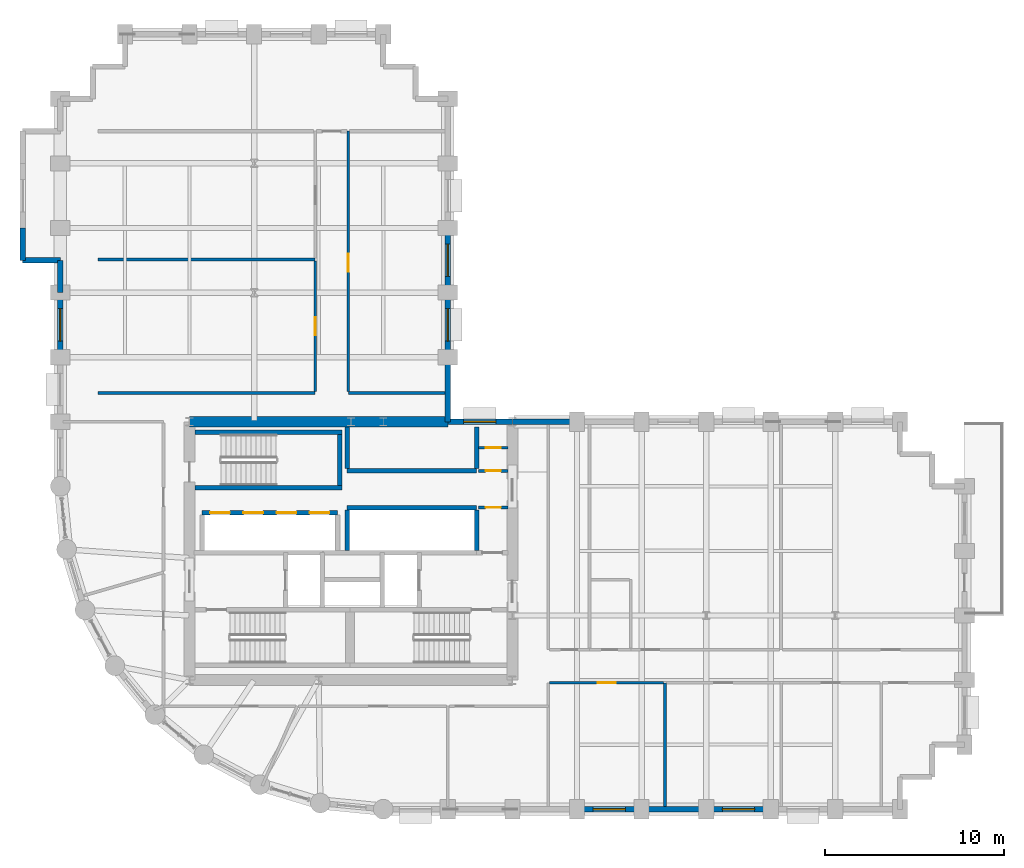
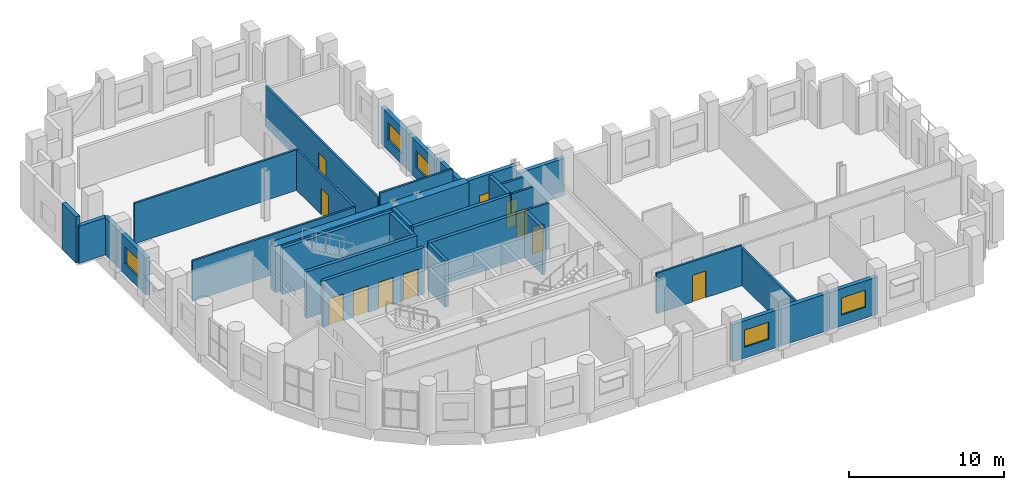
# One storey, part 9 of 13: 33 walls, 10 doors, 6 windows, 16 openings.
"""IFC4 building model written with IfcOpenShell, lengths in metres."""

from ifc_helpers import new_model, si_unit, direction, frame, frame_2d, origin, place, context, subcontext, project, spatial, rectangle, extrude, material, layer, layer_set, type_object, element, fill, save


model = new_model("IFC4")

# Units and contexts
model_context = context("Model", 3, precision=1e-05, world=origin(), true_north=direction((0.0, 1.0)))
body_context = subcontext(model_context, "Body", "Model", "MODEL_VIEW")
ifc_project = project(units=[si_unit("LENGTHUNIT", "METRE"), si_unit("AREAUNIT", "SQUARE_METRE"), si_unit("VOLUMEUNIT", "CUBIC_METRE"), si_unit("PLANEANGLEUNIT", "RADIAN"), si_unit("MASSUNIT", "GRAM", prefix="KILO")], contexts=[model_context])

# Site, building, storey
site_placement = place(None, origin())
site = spatial("IfcSite", under=ifc_project, at=site_placement, CompositionType="ELEMENT")
building_placement = place(site_placement, origin())
building = spatial("IfcBuilding", under=site, at=building_placement, Name="Solnavia Interchange Tower", CompositionType="ELEMENT")
storey_placement = place(building_placement, frame((0.0, 0.0, 87.89990234375)))
storey = spatial("IfcBuildingStorey", under=building, at=storey_placement, Name="L21", CompositionType="ELEMENT", Elevation=87.89990234375)

# Wall, opening, window
ifc_material_1 = material(Name="Concrete C40/50", Category="concrete")
ifc_layer_1 = layer(ifc_material_1, 0.300048828125)
ifc_layer_set_1 = layer_set([ifc_layer_1], Name="Concrete C40/50")
wall_type_1 = type_object("IfcWallType", Name="Wall-ExtSpandrel-300", PredefinedType="STANDARD", material=ifc_layer_set_1)
wall_1_placement = place(storey_placement, frame((39.60009765625, 3.60009765625, 0.0), z_axis=(0.0, 0.0, 1.0), x_axis=(-1.0, 0.0, 0.0)))
wall_1 = element("IfcWall", 1, at=wall_1_placement, inside=storey, type_object=wall_type_1, Name="EXW-L21-04 Exterior precast spandrel wall", PredefinedType="STANDARD", context=body_context, shape_type="SweptSolid", body=[
    extrude(rectangle(XDim=3.60009765625, YDim=0.300048828125, at=frame_2d((1.800048828125, 0.0))), origin(), (0.0, 0.0, 1.0), 2.93017578125),
])
opening_1_placement = place(wall_1_placement, frame((0.89990234375, 0.0, 0.85009765625)))
opening_1 = element("IfcOpeningElement", 2, at=opening_1_placement, cuts=wall_1, Name="Opening WIN-02", PredefinedType="OPENING", context=body_context, shape_type="SweptSolid", body=[
    extrude(rectangle(XDim=1.800048828125, YDim=1.35009765625, at=frame_2d((0.89990234375, 0.675048828125))), frame((0.0, 0.16015625, 0.0), z_axis=(0.0, -1.0, 0.0), x_axis=(1.0, 0.0, 0.0)), (0.0, 0.0, 1.0), 0.320068359375),
])
ifc_material_2 = material(Name="Thermal-Break Aluminium & Low-E Glass", Category="aluminium")
window_type = type_object("IfcWindowType", Name="Window-Ribbon-1800x1350", PartitioningType="SINGLE_PANEL", PredefinedType="WINDOW", material=ifc_material_2)
window_1_placement = place(opening_1_placement, origin())
window_1 = element("IfcWindow", 3, at=window_1_placement, inside=storey, type_object=window_type, Name="WIN-L21-04 Facade ribbon window", OverallHeight=1.35009765625, OverallWidth=1.800048828125, PartitioningType="SINGLE_PANEL", PredefinedType="WINDOW", context=body_context, shape_type="SweptSolid", body=[
    extrude(rectangle(XDim=1.800048828125, YDim=1.35009765625, at=frame_2d((0.89990234375, 0.675048828125))), frame((0.0, 0.030029296875, 0.0), z_axis=(0.0, -1.0, 0.0), x_axis=(1.0, 0.0, 0.0)), (0.0, 0.0, 1.0), 0.06005859375),
])
fill(opening_1, window_1)

# Wall
wall_2_placement = place(storey_placement, frame((43.199951171875, 3.60009765625, 0.0), z_axis=(0.0, 0.0, 1.0), x_axis=(-1.0, 0.0, 0.0)))
element("IfcWall", 4, at=wall_2_placement, inside=storey, type_object=wall_type_1, Name="EXW-L21-05 Exterior precast spandrel wall", PredefinedType="STANDARD", context=body_context, shape_type="SweptSolid", body=[
    extrude(rectangle(XDim=3.599853515625, YDim=0.300048828125, at=frame_2d((1.7998046875, 0.0))), origin(), (0.0, 0.0, 1.0), 2.93017578125),
])

# Wall, opening, window
wall_3_placement = place(storey_placement, frame((46.800048828125, 3.60009765625, 0.0), z_axis=(0.0, 0.0, 1.0), x_axis=(-1.0, 0.0, 0.0)))
wall_3 = element("IfcWall", 5, at=wall_3_placement, inside=storey, type_object=wall_type_1, Name="EXW-L21-06 Exterior precast spandrel wall", PredefinedType="STANDARD", context=body_context, shape_type="SweptSolid", body=[
    extrude(rectangle(XDim=3.60009765625, YDim=0.300048828125, at=frame_2d((1.800048828125, 0.0))), origin(), (0.0, 0.0, 1.0), 2.93017578125),
])
opening_2_placement = place(wall_3_placement, frame((0.89990234375, 0.0, 0.85009765625)))
opening_2 = element("IfcOpeningElement", 6, at=opening_2_placement, cuts=wall_3, Name="Opening WIN-02", PredefinedType="OPENING", context=body_context, shape_type="SweptSolid", body=[
    extrude(rectangle(XDim=1.800048828125, YDim=1.35009765625, at=frame_2d((0.89990234375, 0.675048828125))), frame((0.0, 0.16015625, 0.0), z_axis=(0.0, -1.0, 0.0), x_axis=(1.0, 0.0, 0.0)), (0.0, 0.0, 1.0), 0.320068359375),
])
window_2_placement = place(opening_2_placement, origin())
window_2 = element("IfcWindow", 7, at=window_2_placement, inside=storey, type_object=window_type, Name="WIN-L21-06 Facade ribbon window", OverallHeight=1.35009765625, OverallWidth=1.800048828125, PartitioningType="SINGLE_PANEL", PredefinedType="WINDOW", context=body_context, shape_type="SweptSolid", body=[
    extrude(rectangle(XDim=1.800048828125, YDim=1.35009765625, at=frame_2d((0.89990234375, 0.675048828125))), frame((0.0, 0.030029296875, 0.0), z_axis=(0.0, -1.0, 0.0), x_axis=(1.0, 0.0, 0.0)), (0.0, 0.0, 1.0), 0.06005859375),
])
fill(opening_2, window_2)

# Wall
wall_4_placement = place(storey_placement, frame((32.39990234375, 25.199951171875, 0.0), z_axis=(0.0, 0.0, 1.0), x_axis=(1.0, 0.0, 0.0)))
element("IfcWall", 8, at=wall_4_placement, inside=storey, type_object=wall_type_1, Name="EXW-L21-26 Exterior precast spandrel wall", PredefinedType="STANDARD", context=body_context, shape_type="SweptSolid", body=[
    extrude(rectangle(XDim=3.60009765625, YDim=0.300048828125, at=frame_2d((1.800048828125, 0.0))), origin(), (0.0, 0.0, 1.0), 2.93017578125),
])

# Wall, opening, window
wall_5_placement = place(storey_placement, frame((28.800048828125, 25.199951171875, 0.0), z_axis=(0.0, 0.0, 1.0), x_axis=(1.0, 0.0, 0.0)))
wall_5 = element("IfcWall", 9, at=wall_5_placement, inside=storey, type_object=wall_type_1, Name="EXW-L21-27 Exterior precast spandrel wall", PredefinedType="STANDARD", context=body_context, shape_type="SweptSolid", body=[
    extrude(rectangle(XDim=3.599853515625, YDim=0.300048828125, at=frame_2d((1.7998046875, 0.0))), origin(), (0.0, 0.0, 1.0), 3.635009765625),
])
opening_3_placement = place(wall_5_placement, frame((0.8779296875, 0.0, 0.85009765625)))
opening_3 = element("IfcOpeningElement", 10, at=opening_3_placement, cuts=wall_5, Name="Opening WIN-02", PredefinedType="OPENING", context=body_context, shape_type="SweptSolid", body=[
    extrude(rectangle(XDim=1.800048828125, YDim=1.35009765625, at=frame_2d((0.89990234375, 0.675048828125))), frame((0.0, 0.16015625, 0.0), z_axis=(0.0, -1.0, 0.0), x_axis=(1.0, 0.0, 0.0)), (0.0, 0.0, 1.0), 0.320068359375),
])
window_3_placement = place(opening_3_placement, origin())
window_3 = element("IfcWindow", 11, at=window_3_placement, inside=storey, type_object=window_type, Name="WIN-L21-27 Facade ribbon window", OverallHeight=1.35009765625, OverallWidth=1.800048828125, PartitioningType="SINGLE_PANEL", PredefinedType="WINDOW", context=body_context, shape_type="SweptSolid", body=[
    extrude(rectangle(XDim=1.800048828125, YDim=1.35009765625, at=frame_2d((0.89990234375, 0.675048828125))), frame((0.0, 0.030029296875, 0.0), z_axis=(0.0, -1.0, 0.0), x_axis=(1.0, 0.0, 0.0)), (0.0, 0.0, 1.0), 0.06005859375),
])
fill(opening_3, window_3)

# Wall
wall_6_placement = place(storey_placement, frame((28.800048828125, 28.800048828125, 0.0), z_axis=(0.0, 0.0, 1.0), x_axis=(0.0, -1.0, 0.0)))
element("IfcWall", 12, at=wall_6_placement, inside=storey, type_object=wall_type_1, Name="EXW-L21-28 Exterior precast spandrel wall", PredefinedType="STANDARD", context=body_context, shape_type="SweptSolid", body=[
    extrude(rectangle(XDim=3.60009765625, YDim=0.300048828125, at=frame_2d((1.800048828125, 0.0))), origin(), (0.0, 0.0, 1.0), 3.190185546875),
])

# Wall, opening, window
wall_7_placement = place(storey_placement, frame((28.800048828125, 32.39990234375, 0.0), z_axis=(0.0, 0.0, 1.0), x_axis=(0.0, -1.0, 0.0)))
wall_7 = element("IfcWall", 13, at=wall_7_placement, inside=storey, type_object=wall_type_1, Name="EXW-L21-29 Exterior precast spandrel wall", PredefinedType="STANDARD", context=body_context, shape_type="SweptSolid", body=[
    extrude(rectangle(XDim=3.599853515625, YDim=0.300048828125, at=frame_2d((1.7998046875, 0.0))), origin(), (0.0, 0.0, 1.0), 2.93017578125),
])
opening_4_placement = place(wall_7_placement, frame((0.89990234375, 0.0, 0.85009765625)))
opening_4 = element("IfcOpeningElement", 14, at=opening_4_placement, cuts=wall_7, Name="Opening WIN-02", PredefinedType="OPENING", context=body_context, shape_type="SweptSolid", body=[
    extrude(rectangle(XDim=1.800048828125, YDim=1.35009765625, at=frame_2d((0.89990234375, 0.675048828125))), frame((0.0, 0.16015625, 0.0), z_axis=(0.0, -1.0, 0.0), x_axis=(1.0, 0.0, 0.0)), (0.0, 0.0, 1.0), 0.320068359375),
])
window_4_placement = place(opening_4_placement, origin())
window_4 = element("IfcWindow", 15, at=window_4_placement, inside=storey, type_object=window_type, Name="WIN-L21-29 Facade ribbon window", OverallHeight=1.35009765625, OverallWidth=1.800048828125, PartitioningType="SINGLE_PANEL", PredefinedType="WINDOW", context=body_context, shape_type="SweptSolid", body=[
    extrude(rectangle(XDim=1.800048828125, YDim=1.35009765625, at=frame_2d((0.89990234375, 0.675048828125))), frame((0.0, 0.030029296875, 0.0), z_axis=(0.0, -1.0, 0.0), x_axis=(1.0, 0.0, 0.0)), (0.0, 0.0, 1.0), 0.06005859375),
])
fill(opening_4, window_4)

wall_8_placement = place(storey_placement, frame((28.800048828125, 36.0, 0.0), z_axis=(0.0, 0.0, 1.0), x_axis=(0.0, -1.0, 0.0)))
wall_8 = element("IfcWall", 16, at=wall_8_placement, inside=storey, type_object=wall_type_1, Name="EXW-L21-30 Exterior precast spandrel wall", PredefinedType="STANDARD", context=body_context, shape_type="SweptSolid", body=[
    extrude(rectangle(XDim=3.60009765625, YDim=0.300048828125, at=frame_2d((1.800048828125, 0.0))), origin(), (0.0, 0.0, 1.0), 2.93017578125),
])
opening_5_placement = place(wall_8_placement, frame((0.89990234375, 0.0, 0.85009765625)))
opening_5 = element("IfcOpeningElement", 17, at=opening_5_placement, cuts=wall_8, Name="Opening WIN-02", PredefinedType="OPENING", context=body_context, shape_type="SweptSolid", body=[
    extrude(rectangle(XDim=1.800048828125, YDim=1.35009765625, at=frame_2d((0.89990234375, 0.675048828125))), frame((0.0, 0.16015625, 0.0), z_axis=(0.0, -1.0, 0.0), x_axis=(1.0, 0.0, 0.0)), (0.0, 0.0, 1.0), 0.320068359375),
])
window_5_placement = place(opening_5_placement, origin())
window_5 = element("IfcWindow", 18, at=window_5_placement, inside=storey, type_object=window_type, Name="WIN-L21-30 Facade ribbon window", OverallHeight=1.35009765625, OverallWidth=1.800048828125, PartitioningType="SINGLE_PANEL", PredefinedType="WINDOW", context=body_context, shape_type="SweptSolid", body=[
    extrude(rectangle(XDim=1.800048828125, YDim=1.35009765625, at=frame_2d((0.89990234375, 0.675048828125))), frame((0.0, 0.030029296875, 0.0), z_axis=(0.0, -1.0, 0.0), x_axis=(1.0, 0.0, 0.0)), (0.0, 0.0, 1.0), 0.06005859375),
])
fill(opening_5, window_5)

# Walls
wall_9_placement = place(storey_placement, frame((5.10009765625, 34.199951171875, 0.0), z_axis=(0.0, 0.0, 1.0), x_axis=(0.0, 1.0, 0.0)))
element("IfcWall", 19, at=wall_9_placement, inside=storey, type_object=wall_type_1, Name="EXW-L21-49 Exterior precast spandrel wall", PredefinedType="STANDARD", context=body_context, shape_type="SweptSolid", body=[
    extrude(rectangle(XDim=1.800048828125, YDim=0.300048828125, at=frame_2d((0.89990234375, 0.0))), origin(), (0.0, 0.0, 1.0), 3.635009765625),
])
wall_10_placement = place(storey_placement, frame((5.10009765625, 34.199951171875, 0.0), z_axis=(0.0, 0.0, 1.0), x_axis=(1.0, 0.0, 0.0)))
element("IfcWall", 20, at=wall_10_placement, inside=storey, type_object=wall_type_1, Name="EXW-L21-50 Exterior precast spandrel wall", PredefinedType="STANDARD", context=body_context, shape_type="SweptSolid", body=[
    extrude(rectangle(XDim=2.099853515625, YDim=0.300048828125, at=frame_2d((1.0498046875, 0.0))), origin(), (0.0, 0.0, 1.0), 2.93017578125),
])
wall_11_placement = place(storey_placement, frame((7.199951171875, 32.39990234375, 0.0), z_axis=(0.0, 0.0, 1.0), x_axis=(0.0, 1.0, 0.0)))
element("IfcWall", 21, at=wall_11_placement, inside=storey, type_object=wall_type_1, Name="EXW-L21-51 Exterior precast spandrel wall", PredefinedType="STANDARD", context=body_context, shape_type="SweptSolid", body=[
    extrude(rectangle(XDim=1.800048828125, YDim=0.300048828125, at=frame_2d((0.89990234375, 0.0))), origin(), (0.0, 0.0, 1.0), 2.93017578125),
])

# Wall, opening, window
wall_12_placement = place(storey_placement, frame((7.199951171875, 28.800048828125, 0.0), z_axis=(0.0, 0.0, 1.0), x_axis=(0.0, 1.0, 0.0)))
wall_12 = element("IfcWall", 22, at=wall_12_placement, inside=storey, type_object=wall_type_1, Name="EXW-L21-52 Exterior precast spandrel wall", PredefinedType="STANDARD", context=body_context, shape_type="SweptSolid", body=[
    extrude(rectangle(XDim=3.599853515625, YDim=0.300048828125, at=frame_2d((1.7998046875, 0.0))), origin(), (0.0, 0.0, 1.0), 2.93017578125),
])
opening_6_placement = place(wall_12_placement, frame((0.89990234375, 0.0, 0.85009765625)))
opening_6 = element("IfcOpeningElement", 23, at=opening_6_placement, cuts=wall_12, Name="Opening WIN-02", PredefinedType="OPENING", context=body_context, shape_type="SweptSolid", body=[
    extrude(rectangle(XDim=1.800048828125, YDim=1.35009765625, at=frame_2d((0.89990234375, 0.675048828125))), frame((0.0, 0.16015625, 0.0), z_axis=(0.0, -1.0, 0.0), x_axis=(1.0, 0.0, 0.0)), (0.0, 0.0, 1.0), 0.320068359375),
])
window_6_placement = place(opening_6_placement, origin())
window_6 = element("IfcWindow", 24, at=window_6_placement, inside=storey, type_object=window_type, Name="WIN-L21-52 Facade ribbon window", OverallHeight=1.35009765625, OverallWidth=1.800048828125, PartitioningType="SINGLE_PANEL", PredefinedType="WINDOW", context=body_context, shape_type="SweptSolid", body=[
    extrude(rectangle(XDim=1.800048828125, YDim=1.35009765625, at=frame_2d((0.89990234375, 0.675048828125))), frame((0.0, 0.030029296875, 0.0), z_axis=(0.0, -1.0, 0.0), x_axis=(1.0, 0.0, 0.0)), (0.0, 0.0, 1.0), 0.06005859375),
])
fill(opening_6, window_6)

# Wall, opening, door
ifc_material_3 = material(Name="Gypsum Plasterboard & Steel Stud", Category="steel")
ifc_layer_2 = layer(ifc_material_3, 0.14990234375)
ifc_layer_set_2 = layer_set([ifc_layer_2], Name="Gypsum Plasterboard & Steel Stud")
wall_type_2 = type_object("IfcWallType", Name="Wall-Partition-150", PredefinedType="PARTITIONING", material=ifc_layer_set_2)
wall_13_placement = place(storey_placement, frame((30.52001953125, 22.4599609375, 0.0), z_axis=(0.0, 0.0, 1.0), x_axis=(1.0, 0.0, 0.0)))
wall_13 = element("IfcWall", 25, at=wall_13_placement, inside=storey, type_object=wall_type_2, Name="CSW-L21-NE-S Core shaft wall", PredefinedType="PARTITIONING", context=body_context, shape_type="SweptSolid", body=[
    extrude(rectangle(XDim=1.6298828125, YDim=0.14990234375, at=frame_2d((0.81494140625, 0.0))), origin(), (0.0, 0.0, 1.0), 3.635009765625),
])
opening_7_placement = place(wall_13_placement, frame((0.3798828125, 0.0, 0.0)))
opening_7 = element("IfcOpeningElement", 26, at=opening_7_placement, cuts=wall_13, Name="Opening DR-10", PredefinedType="OPENING", context=body_context, shape_type="SweptSolid", body=[
    extrude(rectangle(XDim=0.85009765625, YDim=2.10009765625, at=frame_2d((0.425048828125, 1.050048828125))), frame((0.0, 0.0849609375, 0.0), z_axis=(0.0, -1.0, 0.0), x_axis=(1.0, 0.0, 0.0)), (0.0, 0.0, 1.0), 0.169921875),
])
ifc_material_4 = material(Name="Moisture-Resistant Timber Door", Category="wood")
door_type_1 = type_object("IfcDoorType", Name="Door-Bathroom-850x2100", OperationType="SINGLE_SWING_RIGHT", PredefinedType="DOOR", material=ifc_material_4)
door_1_placement = place(opening_7_placement, origin())
door_1 = element("IfcDoor", 27, at=door_1_placement, inside=storey, type_object=door_type_1, Name="DR-L21-CNE1 Core fire door", OperationType="SINGLE_SWING_RIGHT", OverallHeight=2.10009765625, OverallWidth=0.85009765625, PredefinedType="DOOR", context=body_context, shape_type="SweptSolid", body=[
    extrude(rectangle(XDim=0.85009765625, YDim=2.10009765625, at=frame_2d((0.425048828125, 1.050048828125))), frame((0.0, 0.02490234375, 0.0), z_axis=(0.0, -1.0, 0.0), x_axis=(1.0, 0.0, 0.0)), (0.0, 0.0, 1.0), 0.050048828125),
])
fill(opening_7, door_1)

wall_14_placement = place(storey_placement, frame((30.52001953125, 23.75, 0.0), z_axis=(0.0, 0.0, 1.0), x_axis=(1.0, 0.0, 0.0)))
wall_14 = element("IfcWall", 28, at=wall_14_placement, inside=storey, type_object=wall_type_2, Name="CSW-L21-NE-M Core shaft wall", PredefinedType="PARTITIONING", context=body_context, shape_type="SweptSolid", body=[
    extrude(rectangle(XDim=1.6298828125, YDim=0.14990234375, at=frame_2d((0.81494140625, 0.0))), origin(), (0.0, 0.0, 1.0), 3.635009765625),
])
opening_8_placement = place(wall_14_placement, frame((0.3798828125, 0.0, 0.0)))
opening_8 = element("IfcOpeningElement", 29, at=opening_8_placement, cuts=wall_14, Name="Opening DR-10", PredefinedType="OPENING", context=body_context, shape_type="SweptSolid", body=[
    extrude(rectangle(XDim=0.85009765625, YDim=2.10009765625, at=frame_2d((0.425048828125, 1.050048828125))), frame((0.0, 0.0849609375, 0.0), z_axis=(0.0, -1.0, 0.0), x_axis=(1.0, 0.0, 0.0)), (0.0, 0.0, 1.0), 0.169921875),
])
door_2_placement = place(opening_8_placement, origin())
door_2 = element("IfcDoor", 30, at=door_2_placement, inside=storey, type_object=door_type_1, Name="DR-L21-CNE2 Core fire door", OperationType="SINGLE_SWING_LEFT", OverallHeight=2.10009765625, OverallWidth=0.85009765625, PredefinedType="DOOR", context=body_context, shape_type="SweptSolid", body=[
    extrude(rectangle(XDim=0.85009765625, YDim=2.10009765625, at=frame_2d((0.425048828125, 1.050048828125))), frame((0.0, 0.02490234375, 0.0), z_axis=(0.0, -1.0, 0.0), x_axis=(1.0, 0.0, 0.0)), (0.0, 0.0, 1.0), 0.050048828125),
])
fill(opening_8, door_2)

wall_15_placement = place(storey_placement, frame((30.52001953125, 20.419921875, 0.0), z_axis=(0.0, 0.0, 1.0), x_axis=(1.0, 0.0, 0.0)))
wall_15 = element("IfcWall", 31, at=wall_15_placement, inside=storey, type_object=wall_type_2, Name="CSW-L21-SE-N Core shaft wall", PredefinedType="PARTITIONING", context=body_context, shape_type="SweptSolid", body=[
    extrude(rectangle(XDim=1.6298828125, YDim=0.14990234375, at=frame_2d((0.81494140625, 0.0))), origin(), (0.0, 0.0, 1.0), 3.635009765625),
])
opening_9_placement = place(wall_15_placement, frame((0.3798828125, 0.0, 0.0)))
opening_9 = element("IfcOpeningElement", 32, at=opening_9_placement, cuts=wall_15, Name="Opening DR-10", PredefinedType="OPENING", context=body_context, shape_type="SweptSolid", body=[
    extrude(rectangle(XDim=0.85009765625, YDim=2.10009765625, at=frame_2d((0.425048828125, 1.050048828125))), frame((0.0, 0.0849609375, 0.0), z_axis=(0.0, -1.0, 0.0), x_axis=(1.0, 0.0, 0.0)), (0.0, 0.0, 1.0), 0.169921875),
])
door_3_placement = place(opening_9_placement, origin())
door_3 = element("IfcDoor", 33, at=door_3_placement, inside=storey, type_object=door_type_1, Name="DR-L21-CSE1 Core fire door", OperationType="SINGLE_SWING_LEFT", OverallHeight=2.10009765625, OverallWidth=0.85009765625, PredefinedType="DOOR", context=body_context, shape_type="SweptSolid", body=[
    extrude(rectangle(XDim=0.85009765625, YDim=2.10009765625, at=frame_2d((0.425048828125, 1.050048828125))), frame((0.0, 0.02490234375, 0.0), z_axis=(0.0, -1.0, 0.0), x_axis=(1.0, 0.0, 0.0)), (0.0, 0.0, 1.0), 0.050048828125),
])
fill(opening_9, door_3)

# Wall
wall_16_placement = place(storey_placement, frame((40.89990234375, 3.75390625, 0.0), z_axis=(0.0, 0.0, 1.0), x_axis=(0.0, 1.0, 0.0)))
element("IfcWall", 34, at=wall_16_placement, inside=storey, type_object=wall_type_2, Name="PTW-L21-18 Interior partition wall", PredefinedType="PARTITIONING", context=body_context, shape_type="SweptSolid", body=[
    extrude(rectangle(XDim=6.89599609375, YDim=0.14990234375, at=frame_2d((3.447998046875, 0.0))), origin(), (0.0, 0.0, 1.0), 2.93017578125),
])

# Wall, opening, door
wall_17_placement = place(storey_placement, frame((34.47900390625, 10.64990234375, 0.0), z_axis=(0.0, 0.0, 1.0), x_axis=(1.0, 0.0, 0.0)))
wall_17 = element("IfcWall", 35, at=wall_17_placement, inside=storey, type_object=wall_type_2, Name="PTW-L21-19 Interior partition wall", PredefinedType="PARTITIONING", context=body_context, shape_type="SweptSolid", body=[
    extrude(rectangle(XDim=6.342041015625, YDim=0.14990234375, at=frame_2d((3.1708984375, 0.0))), origin(), (0.0, 0.0, 1.0), 3.18017578125),
])
opening_10_placement = place(wall_17_placement, frame((2.6708984375, 0.0, 0.0)))
opening_10 = element("IfcOpeningElement", 36, at=opening_10_placement, cuts=wall_17, Name="Opening DR-07", PredefinedType="OPENING", context=body_context, shape_type="SweptSolid", body=[
    extrude(rectangle(XDim=1.0, YDim=2.10009765625, at=frame_2d((0.5, 1.050048828125))), frame((0.0, 0.0849609375, 0.0), z_axis=(0.0, -1.0, 0.0), x_axis=(1.0, 0.0, 0.0)), (0.0, 0.0, 1.0), 0.169921875),
])
ifc_material_5 = material(Name="Timber & Acoustic Glazed Office Door", Category="wood")
door_type_2 = type_object("IfcDoorType", Name="Door-Office-1000x2100", OperationType="SINGLE_SWING_RIGHT", PredefinedType="DOOR", material=ifc_material_5)
door_4_placement = place(opening_10_placement, origin())
door_4 = element("IfcDoor", 37, at=door_4_placement, inside=storey, type_object=door_type_2, Name="DR-L21-08 Interior room door", OperationType="SINGLE_SWING_LEFT", OverallHeight=2.10009765625, OverallWidth=1.0, PredefinedType="DOOR", context=body_context, shape_type="SweptSolid", body=[
    extrude(rectangle(XDim=1.0, YDim=2.10009765625, at=frame_2d((0.5, 1.050048828125))), frame((0.0, 0.02490234375, 0.0), z_axis=(0.0, -1.0, 0.0), x_axis=(1.0, 0.0, 0.0)), (0.0, 0.0, 1.0), 0.050048828125),
])
fill(opening_10, door_4)

# Walls
for number, where, z_axis, x_axis, name in (
    (38, (9.300048828125, 26.800048828125, 0.0), (0.0, 0.0, 1.0), (1.0, 0.0, 0.0), "PTW-L21-28 Interior partition wall"),
    (39, (9.300048828125, 34.25, 0.0), (0.0, 0.0, 1.0), (1.0, 0.0, 0.0), "PTW-L21-29 Interior partition wall"),
):
    element("IfcWall", number, at=place(storey_placement, frame(where, z_axis=z_axis, x_axis=x_axis)), inside=storey, type_object=wall_type_2, Name=name, PredefinedType="PARTITIONING", context=body_context, shape_type="SweptSolid", body=[
        extrude(rectangle(XDim=12.099853515625, YDim=0.14990234375, at=frame_2d((6.0498046875, 0.0))), origin(), (0.0, 0.0, 1.0), 3.18017578125),
    ])

# Wall, opening, door
wall_18_placement = place(storey_placement, frame((21.39990234375, 26.87890625, 0.0), z_axis=(0.0, 0.0, 1.0), x_axis=(0.0, 1.0, 0.0)))
wall_18 = element("IfcWall", 40, at=wall_18_placement, inside=storey, type_object=wall_type_2, Name="PTW-L21-30 Interior partition wall", PredefinedType="PARTITIONING", context=body_context, shape_type="SweptSolid", body=[
    extrude(rectangle(XDim=7.2919921875, YDim=0.14990234375, at=frame_2d((3.64599609375, 0.0))), origin(), (0.0, 0.0, 1.0), 3.190185546875),
])
opening_11_placement = place(wall_18_placement, frame((3.14599609375, 0.0, 0.0)))
opening_11 = element("IfcOpeningElement", 41, at=opening_11_placement, cuts=wall_18, Name="Opening DR-07", PredefinedType="OPENING", context=body_context, shape_type="SweptSolid", body=[
    extrude(rectangle(XDim=1.0, YDim=2.10009765625, at=frame_2d((0.5, 1.050048828125))), frame((0.0, 0.0849609375, 0.0), z_axis=(0.0, -1.0, 0.0), x_axis=(1.0, 0.0, 0.0)), (0.0, 0.0, 1.0), 0.169921875),
])
door_5_placement = place(opening_11_placement, origin())
door_5 = element("IfcDoor", 42, at=door_5_placement, inside=storey, type_object=door_type_2, Name="DR-L21-14 Interior room door", OperationType="SINGLE_SWING_RIGHT", OverallHeight=2.10009765625, OverallWidth=1.0, PredefinedType="DOOR", context=body_context, shape_type="SweptSolid", body=[
    extrude(rectangle(XDim=1.0, YDim=2.10009765625, at=frame_2d((0.5, 1.050048828125))), frame((0.0, 0.02490234375, 0.0), z_axis=(0.0, -1.0, 0.0), x_axis=(1.0, 0.0, 0.0)), (0.0, 0.0, 1.0), 0.050048828125),
])
fill(opening_11, door_5)

# Wall
wall_19_placement = place(storey_placement, frame((23.25, 26.800048828125, 0.0), z_axis=(0.0, 0.0, 1.0), x_axis=(1.0, 0.0, 0.0)))
element("IfcWall", 43, at=wall_19_placement, inside=storey, type_object=wall_type_2, Name="PTW-L21-32 Interior partition wall", PredefinedType="PARTITIONING", context=body_context, shape_type="SweptSolid", body=[
    extrude(rectangle(XDim=5.39599609375, YDim=0.14990234375, at=frame_2d((2.697998046875, 0.0))), origin(), (0.0, 0.0, 1.0), 3.635009765625),
])

# Wall, opening, door
wall_20_placement = place(storey_placement, frame((23.25, 26.87890625, 0.0), z_axis=(0.0, 0.0, 1.0), x_axis=(0.0, 1.0, 0.0)))
wall_20 = element("IfcWall", 44, at=wall_20_placement, inside=storey, type_object=wall_type_2, Name="PTW-L21-33 Interior partition wall", PredefinedType="PARTITIONING", context=body_context, shape_type="SweptSolid", body=[
    extrude(rectangle(XDim=14.52099609375, YDim=0.14990234375, at=frame_2d((7.260498046875, 0.0))), origin(), (0.0, 0.0, 1.0), 3.190185546875),
])
opening_12_placement = place(wall_20_placement, frame((6.680908203125, 0.0, 0.0)))
opening_12 = element("IfcOpeningElement", 45, at=opening_12_placement, cuts=wall_20, Name="Opening DR-07", PredefinedType="OPENING", context=body_context, shape_type="SweptSolid", body=[
    extrude(rectangle(XDim=1.0, YDim=2.10009765625, at=frame_2d((0.5, 1.050048828125))), frame((0.0, 0.0849609375, 0.0), z_axis=(0.0, -1.0, 0.0), x_axis=(1.0, 0.0, 0.0)), (0.0, 0.0, 1.0), 0.169921875),
])
door_6_placement = place(opening_12_placement, origin())
door_6 = element("IfcDoor", 46, at=door_6_placement, inside=storey, type_object=door_type_2, Name="DR-L21-16 Interior room door", OperationType="SINGLE_SWING_LEFT", OverallHeight=2.10009765625, OverallWidth=1.0, PredefinedType="DOOR", context=body_context, shape_type="SweptSolid", body=[
    extrude(rectangle(XDim=1.0, YDim=2.10009765625, at=frame_2d((0.5, 1.050048828125))), frame((0.0, 0.02490234375, 0.0), z_axis=(0.0, -1.0, 0.0), x_axis=(1.0, 0.0, 0.0)), (0.0, 0.0, 1.0), 0.050048828125),
])
fill(opening_12, door_6)

# Walls
ifc_layer_3 = layer(ifc_material_1, 0.25)
ifc_layer_set_3 = layer_set([ifc_layer_3], Name="Concrete C40/50")
wall_type_3 = type_object("IfcWallType", Name="Wall-ShaftCore-250", PredefinedType="SHEAR", material=ifc_layer_set_3)
for number, where, z_axis, x_axis, name in (
    (47, (14.699951171875, 21.52490234375, 0.0), (0.0, 0.0, 1.0), (1.0, 0.0, 0.0), "SHW-L21-ST3S Core shear wall"),
    (48, (14.699951171875, 24.614990234375, 0.0), (0.0, 0.0, 1.0), (1.0, 0.0, 0.0), "SHW-L21-ST3N Core shear wall"),
):
    element("IfcWall", number, at=place(storey_placement, frame(where, z_axis=z_axis, x_axis=x_axis)), inside=storey, type_object=wall_type_3, Name=name, PredefinedType="SHEAR", context=body_context, shape_type="SweptSolid", body=[
        extrude(rectangle(XDim=8.199951171875, YDim=0.25, at=frame_2d((4.10009765625, 0.0))), origin(), (0.0, 0.0, 1.0), 3.650146484375),
    ])
wall_21_placement = place(storey_placement, frame((22.77490234375, 21.64990234375, 0.0), z_axis=(0.0, 0.0, 1.0), x_axis=(0.0, 1.0, 0.0)))
element("IfcWall", 49, at=wall_21_placement, inside=storey, type_object=wall_type_3, Name="SHW-L21-ST3E Core shear wall", PredefinedType="SHEAR", context=body_context, shape_type="SweptSolid", body=[
    extrude(rectangle(XDim=2.840087890625, YDim=0.25, at=frame_2d((1.419921875, 0.0))), origin(), (0.0, 0.0, 1.0), 3.650146484375),
])

# Wall, openings, doors
ifc_layer_4 = layer(ifc_material_1, 0.25)
ifc_layer_set_4 = layer_set([ifc_layer_4], Name="Concrete C40/50")
wall_type_4 = type_object("IfcWallType", Name="Wall-ShaftPart-250", PredefinedType="PARTITIONING", material=ifc_layer_set_4)
wall_22_placement = place(storey_placement, frame((15.10009765625, 20.125, 0.0), z_axis=(0.0, 0.0, 1.0), x_axis=(1.0, 0.0, 0.0)))
wall_22 = element("IfcWall", 50, at=wall_22_placement, inside=storey, type_object=wall_type_4, Name="SHW-L21-B1N Core shaft wall", PredefinedType="PARTITIONING", context=body_context, shape_type="SweptSolid", body=[
    extrude(rectangle(XDim=7.5498046875, YDim=0.25, at=frame_2d((3.77490234375, 0.0))), origin(), (0.0, 0.0, 1.0), 3.635009765625),
])
opening_13_placement = place(wall_22_placement, frame((0.449951171875, 0.0, 0.0)))
opening_13 = element("IfcOpeningElement", 51, at=opening_13_placement, cuts=wall_22, Name="Opening LD-01", PredefinedType="OPENING", context=body_context, shape_type="SweptSolid", body=[
    extrude(rectangle(XDim=1.10009765625, YDim=2.10009765625, at=frame_2d((0.550048828125, 1.050048828125))), frame((0.0, 0.135009765625, 0.0), z_axis=(0.0, -1.0, 0.0), x_axis=(1.0, 0.0, 0.0)), (0.0, 0.0, 1.0), 0.27001953125),
])
opening_14_placement = place(wall_22_placement, frame((2.300048828125, 0.0, 0.0)))
opening_14 = element("IfcOpeningElement", 52, at=opening_14_placement, cuts=wall_22, Name="Opening LD-01", PredefinedType="OPENING", context=body_context, shape_type="SweptSolid", body=[
    extrude(rectangle(XDim=1.10009765625, YDim=2.10009765625, at=frame_2d((0.550048828125, 1.050048828125))), frame((0.0, 0.135009765625, 0.0), z_axis=(0.0, -1.0, 0.0), x_axis=(1.0, 0.0, 0.0)), (0.0, 0.0, 1.0), 0.27001953125),
])
opening_15_placement = place(wall_22_placement, frame((4.14990234375, 0.0, 0.0)))
opening_15 = element("IfcOpeningElement", 53, at=opening_15_placement, cuts=wall_22, Name="Opening LD-01", PredefinedType="OPENING", context=body_context, shape_type="SweptSolid", body=[
    extrude(rectangle(XDim=1.10009765625, YDim=2.10009765625, at=frame_2d((0.550048828125, 1.050048828125))), frame((0.0, 0.135009765625, 0.0), z_axis=(0.0, -1.0, 0.0), x_axis=(1.0, 0.0, 0.0)), (0.0, 0.0, 1.0), 0.27001953125),
])
opening_16_placement = place(wall_22_placement, frame((6.0, 0.0, 0.0)))
opening_16 = element("IfcOpeningElement", 54, at=opening_16_placement, cuts=wall_22, Name="Opening LD-01", PredefinedType="OPENING", context=body_context, shape_type="SweptSolid", body=[
    extrude(rectangle(XDim=1.10009765625, YDim=2.10009765625, at=frame_2d((0.550048828125, 1.050048828125))), frame((0.0, 0.135009765625, 0.0), z_axis=(0.0, -1.0, 0.0), x_axis=(1.0, 0.0, 0.0)), (0.0, 0.0, 1.0), 0.27001953125),
])
ifc_material_6 = material(Name="Brushed Stainless Steel Sliding Door", Category="steel")
door_type_3 = type_object("IfcDoorType", Name="Door-LiftLanding-1100x2100", OperationType="SLIDING_TO_LEFT", PredefinedType="DOOR", material=ifc_material_6)
door_7_placement = place(opening_13_placement, origin())
door_7 = element("IfcDoor", 55, at=door_7_placement, inside=storey, type_object=door_type_3, Name="LD-L21-B1-1 Lift landing sliding door", OperationType="SLIDING_TO_LEFT", OverallHeight=2.10009765625, OverallWidth=1.10009765625, PredefinedType="DOOR", context=body_context, shape_type="SweptSolid", body=[
    extrude(rectangle(XDim=1.10009765625, YDim=2.10009765625, at=frame_2d((0.550048828125, 1.050048828125))), frame((0.0, 0.02490234375, 0.0), z_axis=(0.0, -1.0, 0.0), x_axis=(1.0, 0.0, 0.0)), (0.0, 0.0, 1.0), 0.050048828125),
])
fill(opening_13, door_7)
door_8_placement = place(opening_14_placement, origin())
door_8 = element("IfcDoor", 56, at=door_8_placement, inside=storey, type_object=door_type_3, Name="LD-L21-B1-2 Lift landing sliding door", OperationType="SLIDING_TO_LEFT", OverallHeight=2.10009765625, OverallWidth=1.10009765625, PredefinedType="DOOR", context=body_context, shape_type="SweptSolid", body=[
    extrude(rectangle(XDim=1.10009765625, YDim=2.10009765625, at=frame_2d((0.550048828125, 1.050048828125))), frame((0.0, 0.02490234375, 0.0), z_axis=(0.0, -1.0, 0.0), x_axis=(1.0, 0.0, 0.0)), (0.0, 0.0, 1.0), 0.050048828125),
])
fill(opening_14, door_8)
door_9_placement = place(opening_15_placement, origin())
door_9 = element("IfcDoor", 57, at=door_9_placement, inside=storey, type_object=door_type_3, Name="LD-L21-B1-3 Lift landing sliding door", OperationType="SLIDING_TO_LEFT", OverallHeight=2.10009765625, OverallWidth=1.10009765625, PredefinedType="DOOR", context=body_context, shape_type="SweptSolid", body=[
    extrude(rectangle(XDim=1.10009765625, YDim=2.10009765625, at=frame_2d((0.550048828125, 1.050048828125))), frame((0.0, 0.02490234375, 0.0), z_axis=(0.0, -1.0, 0.0), x_axis=(1.0, 0.0, 0.0)), (0.0, 0.0, 1.0), 0.050048828125),
])
fill(opening_15, door_9)
door_10_placement = place(opening_16_placement, origin())
door_10 = element("IfcDoor", 58, at=door_10_placement, inside=storey, type_object=door_type_3, Name="LD-L21-B1-4 Lift landing sliding door", OperationType="SLIDING_TO_LEFT", OverallHeight=2.10009765625, OverallWidth=1.10009765625, PredefinedType="DOOR", context=body_context, shape_type="SweptSolid", body=[
    extrude(rectangle(XDim=1.10009765625, YDim=2.10009765625, at=frame_2d((0.550048828125, 1.050048828125))), frame((0.0, 0.02490234375, 0.0), z_axis=(0.0, -1.0, 0.0), x_axis=(1.0, 0.0, 0.0)), (0.0, 0.0, 1.0), 0.050048828125),
])
fill(opening_16, door_10)

# Walls
wall_23_placement = place(storey_placement, frame((23.179931640625, 20.419921875, 0.0), z_axis=(0.0, 0.0, 1.0), x_axis=(1.0, 0.0, 0.0)))
element("IfcWall", 59, at=wall_23_placement, inside=storey, type_object=wall_type_4, Name="SHW-L21-B2N Core shaft wall", PredefinedType="PARTITIONING", context=body_context, shape_type="SweptSolid", body=[
    extrude(rectangle(XDim=7.219970703125, YDim=0.25, at=frame_2d((3.60986328125, 0.0))), origin(), (0.0, 0.0, 1.0), 3.635009765625),
])
for number, where, z_axis, x_axis, name in (
    (60, (23.179931640625, 18.02490234375, 0.0), (0.0, 0.0, 1.0), (0.0, 1.0, 0.0), "SHW-L21-B2W Core shaft wall"),
    (61, (30.39990234375, 18.02490234375, 0.0), (0.0, 0.0, 1.0), (0.0, 1.0, 0.0), "SHW-L21-B2E Core shaft wall"),
):
    element("IfcWall", number, at=place(storey_placement, frame(where, z_axis=z_axis, x_axis=x_axis)), inside=storey, type_object=wall_type_4, Name=name, PredefinedType="PARTITIONING", context=body_context, shape_type="SweptSolid", body=[
        extrude(rectangle(XDim=2.27001953125, YDim=0.25, at=frame_2d((1.135009765625, 0.0))), origin(), (0.0, 0.0, 1.0), 3.635009765625),
    ])
wall_24_placement = place(storey_placement, frame((23.179931640625, 22.4599609375, 0.0), z_axis=(0.0, 0.0, 1.0), x_axis=(1.0, 0.0, 0.0)))
element("IfcWall", 62, at=wall_24_placement, inside=storey, type_object=wall_type_4, Name="SHW-L21-B3S Core shaft wall", PredefinedType="PARTITIONING", context=body_context, shape_type="SweptSolid", body=[
    extrude(rectangle(XDim=7.219970703125, YDim=0.25, at=frame_2d((3.60986328125, 0.0))), origin(), (0.0, 0.0, 1.0), 3.635009765625),
])
for number, where, z_axis, x_axis, name in (
    (63, (23.179931640625, 22.5849609375, 0.0), (0.0, 0.0, 1.0), (0.0, 1.0, 0.0), "SHW-L21-B3W Core shaft wall"),
    (64, (30.39990234375, 22.5849609375, 0.0), (0.0, 0.0, 1.0), (0.0, 1.0, 0.0), "SHW-L21-B3E Core shaft wall"),
):
    element("IfcWall", number, at=place(storey_placement, frame(where, z_axis=z_axis, x_axis=x_axis)), inside=storey, type_object=wall_type_4, Name=name, PredefinedType="PARTITIONING", context=body_context, shape_type="SweptSolid", body=[
        extrude(rectangle(XDim=2.31494140625, YDim=0.25, at=frame_2d((1.157470703125, 0.0))), origin(), (0.0, 0.0, 1.0), 3.635009765625),
    ])
ifc_material_7 = material(Name="Concrete C60/75", Category="concrete")
ifc_layer_5 = layer(ifc_material_7, 0.60009765625)
ifc_layer_set_5 = layer_set([ifc_layer_5], Name="Concrete C60/75")
wall_type_5 = type_object("IfcWallType", Name="Wall-ShearCore-600", PredefinedType="SHEAR", material=ifc_layer_set_5)
wall_25_placement = place(storey_placement, frame((14.39990234375, 25.199951171875, 0.0), z_axis=(0.0, 0.0, 1.0), x_axis=(1.0, 0.0, 0.0)))
element("IfcWall", 65, at=wall_25_placement, inside=storey, type_object=wall_type_5, Name="CRW-L21-N Core shear wall", PredefinedType="SHEAR", context=body_context, shape_type="SweptSolid", body=[
    extrude(rectangle(XDim=14.400146484375, YDim=0.60009765625, at=frame_2d((7.2001953125, 0.0))), origin(), (0.0, 0.0, 1.0), 3.650146484375),
])

save(model, "model.ifc")
